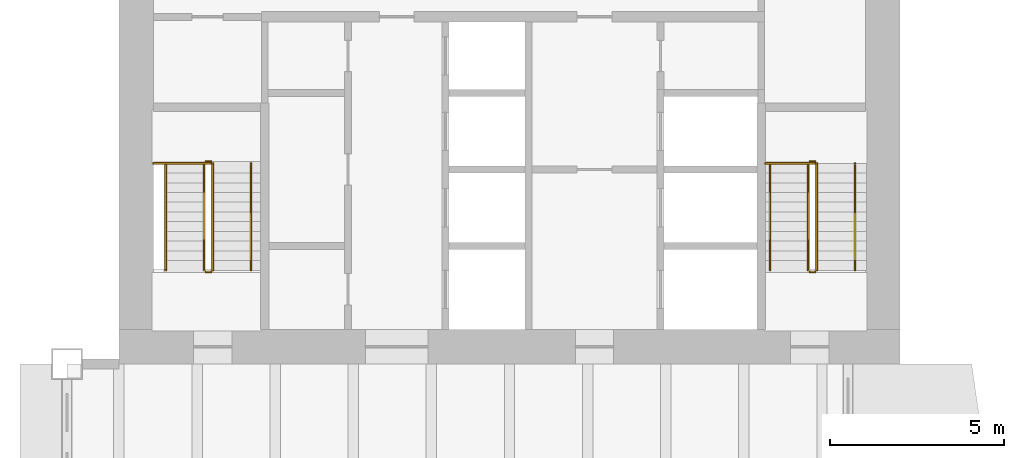
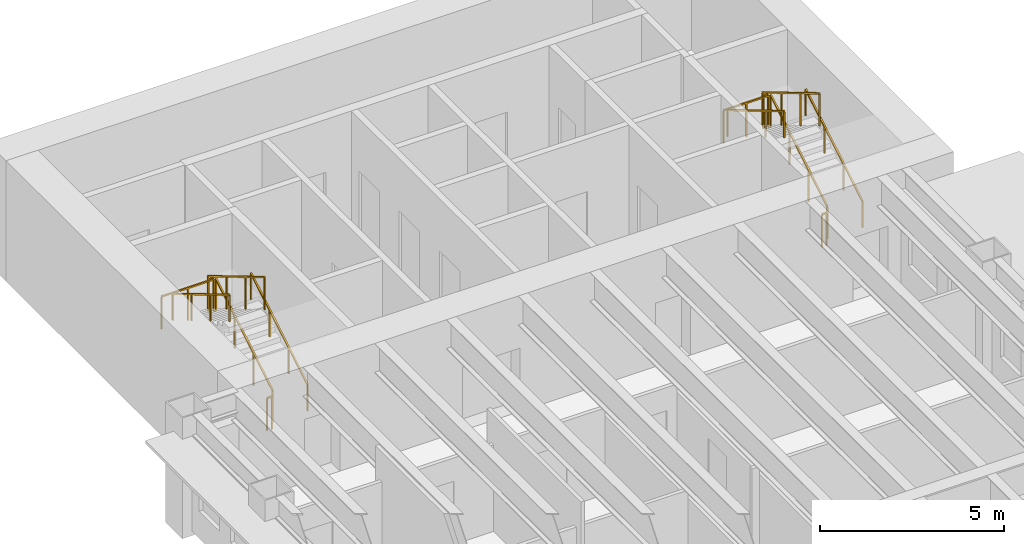
# One storey, part 16 of 16: 14 railings.
"""IFC4 building model written with IfcOpenShell, lengths in metres."""

import ifcopenshell
import ifcopenshell.guid

model = None  # the IFC model being written
_history = None  # IfcOwnerHistory: only IFC2X3 demands one
_inside = {}  # id of a spatial element -> (the spatial element, [elements in it])
_under = {}  # id of a project, library or spatial element -> (it, [spatial elements below it])
_declared = {}  # id of a project -> (the project, [libraries it declares])
_typed = {}  # id of a type object -> (the type object, [elements of that type])
_made_of = {}  # id of a material, layer set ... -> (it, [elements and type objects made of it])


def new_model(schema):
    """Start an empty IFC model of exactly this schema.

    Asked for "IFC4X3", IfcOpenShell would pick the latest addendum, in which some entities
    have other attributes; the version numbers below select the first issue.
    IFC2X3 requires an IfcOwnerHistory on every rooted entity: one is made here for all.
    """
    global model, _history
    if schema == "IFC4X3":
        model = ifcopenshell.file(schema_version=(4, 3, 0, 0))
    else:
        model = ifcopenshell.file(schema=schema)
    _inside.clear()
    _under.clear()
    _declared.clear()
    _typed.clear()
    _made_of.clear()
    _history = None
    if model.schema == "IFC2X3":
        org = make("IfcOrganization", Name="unknown")
        user = make(
            "IfcPersonAndOrganization",
            ThePerson=make("IfcPerson", FamilyName="unknown"),
            TheOrganization=org,
        )
        app = make(
            "IfcApplication",
            ApplicationDeveloper=org,
            Version="unknown",
            ApplicationFullName="unknown",
            ApplicationIdentifier="unknown",
        )
        _history = make(
            "IfcOwnerHistory",
            OwningUser=user,
            OwningApplication=app,
            ChangeAction="ADDED",
            CreationDate=0,
        )
    return model


def make(cls, **values):
    """One entity of the class cls with the attributes given. An attribute that is None is left unset."""
    return model.create_entity(
        cls, **{name: value for name, value in values.items() if value is not None}
    )


def rooted(cls, **values):
    """An entity with a GlobalId (a new one), such as an element, a storey or a relation."""
    return make(cls, GlobalId=ifcopenshell.guid.new(), OwnerHistory=_history, **values)


def si_unit(unit_type, name, prefix=None):
    """IfcSIUnit, for example si_unit("LENGTHUNIT", "METRE", prefix="MILLI")."""
    return make("IfcSIUnit", UnitType=unit_type, Prefix=prefix, Name=name)


def assignment(units):
    """IfcUnitAssignment: the units of a project."""
    return None if units is None else make("IfcUnitAssignment", Units=units)


def point(xyz):
    """IfcCartesianPoint."""
    return None if xyz is None else make("IfcCartesianPoint", Coordinates=xyz)


def direction(xyz):
    """IfcDirection."""
    return None if xyz is None else make("IfcDirection", DirectionRatios=xyz)


def frame(location, z_axis=None, x_axis=None):
    """IfcAxis2Placement3D, a coordinate frame: its origin and axes. An axis left out is left unset."""
    return make(
        "IfcAxis2Placement3D",
        Location=point(location),
        Axis=direction(z_axis),
        RefDirection=direction(x_axis),
    )


def frame_2d(location, x_axis=None):
    """IfcAxis2Placement2D, a coordinate frame in the plane: its origin and x axis."""
    return make(
        "IfcAxis2Placement2D", Location=point(location), RefDirection=direction(x_axis)
    )


def origin():
    """The frame at (0, 0, 0) with its axes left unset."""
    return frame((0.0, 0.0, 0.0))


def origin_2d():
    """The frame at (0, 0) in the plane with its x axis left unset."""
    return frame_2d((0.0, 0.0))


def place(relative_to, where):
    """IfcLocalPlacement: puts the frame where relative to a parent placement (None: the world)."""
    return make(
        "IfcLocalPlacement", PlacementRelTo=relative_to, RelativePlacement=where
    )


def context(
    kind, dimensions, precision=None, world=None, true_north=None, identifier=None
):
    """IfcGeometricRepresentationContext, for example the 3D "Model" context."""
    return make(
        "IfcGeometricRepresentationContext",
        ContextIdentifier=identifier,
        ContextType=kind,
        CoordinateSpaceDimension=dimensions,
        Precision=precision,
        WorldCoordinateSystem=world,
        TrueNorth=true_north,
    )


def subcontext(parent, identifier, kind, view, scale=None):
    """IfcGeometricRepresentationSubContext, for example "Body" below "Model"."""
    return make(
        "IfcGeometricRepresentationSubContext",
        ContextIdentifier=identifier,
        ContextType=kind,
        ParentContext=parent,
        TargetScale=scale,
        TargetView=view,
    )


def project(units=None, contexts=None):
    """IfcProject with its units and contexts."""
    return rooted(
        "IfcProject",
        Name="project",
        RepresentationContexts=contexts,
        UnitsInContext=assignment(units),
    )


def spatial(cls, under=None, at=None, **own):
    """A site, building, storey or space (cls), placed at a placement, below another one or the project."""
    s = rooted(cls, ObjectPlacement=at, **own)
    if under is not None:
        _under.setdefault(under.id(), (under, []))[1].append(s)
    return s


def profile(cls, at=None, kind="AREA", **sizes):
    """A parametric profile (cls). Its sizes go by their IFC names, for example OverallWidth=200.0."""
    return make(cls, ProfileType=kind, Position=at, **sizes)


def rectangle(**sizes):
    """IfcRectangleProfileDef."""
    return profile("IfcRectangleProfileDef", **sizes)


def extrude(swept, where, along, depth):
    """IfcExtrudedAreaSolid: the profile swept, set in the frame where, extruded along a direction by depth."""
    return make(
        "IfcExtrudedAreaSolid",
        SweptArea=swept,
        Position=where,
        ExtrudedDirection=direction(along),
        Depth=depth,
    )


def shape(context_of_items, identifier, shape_type, items):
    """IfcShapeRepresentation: the items that make up one representation, for example the "Body"."""
    return make(
        "IfcShapeRepresentation",
        ContextOfItems=context_of_items,
        RepresentationIdentifier=identifier,
        RepresentationType=shape_type,
        Items=items,
    )


def material(Name=None, Category=None):
    """IfcMaterial."""
    return make("IfcMaterial", Name=Name, Category=Category)


def made_of(thing, what):
    """Note that an element or type object is made of a material, layer set ...; save() writes the relation."""
    if what is not None:
        _made_of.setdefault(what.id(), (what, []))[1].append(thing)
    return thing


def type_object(cls, material=None, **own):
    """A type object (cls), such as IfcWallType, which elements share."""
    return made_of(rooted(cls, **own), material)


def element(
    cls,
    number,
    at=None,
    inside=None,
    cuts=None,
    type_object=None,
    material=None,
    context=None,
    identifier="Body",
    shape_type=None,
    held_by="IfcProductDefinitionShape",
    body=None,
    shapes=None,
    **own,
):
    """One element of the class cls, such as IfcWall. Its Tag is "e" and its number.

    at: its placement. inside: the storey or other place that contains it. cuts: it is an
    opening in that element (IfcRelVoidsElement). A single representation is given by context,
    identifier, shape_type and body (its items); several are given by shapes. held_by: the class
    of the entity that holds the representations. save() writes the other relations.
    """
    e = rooted(cls, Tag="e%d" % number, ObjectPlacement=at, **own)
    if body is not None:
        shapes = [shape(context, identifier, shape_type, body)]
    if shapes is not None:
        e.Representation = make(held_by, Representations=shapes)
    if inside is not None:
        _inside.setdefault(inside.id(), (inside, []))[1].append(e)
    if cuts is not None:
        rooted(
            "IfcRelVoidsElement", RelatingBuildingElement=cuts, RelatedOpeningElement=e
        )
    if type_object is not None:
        _typed.setdefault(type_object.id(), (type_object, []))[1].append(e)
    return made_of(e, material)


def aggregate(whole, parts):
    """IfcRelAggregates: a whole, such as a stair, and the parts it consists of."""
    return rooted("IfcRelAggregates", RelatingObject=whole, RelatedObjects=parts)


def save(model, path):
    """Write the relations noted so far, then the file.

    IfcRelAggregates (storeys below a building ...), IfcRelContainedInSpatialStructure (elements
    in a storey), IfcRelDefinesByType, IfcRelAssociatesMaterial and IfcRelDeclares: one each for
    every whole, place, type object, material and project.
    """
    for whole, parts in _under.values():
        aggregate(whole, parts)
    for where, things in _inside.values():
        rooted(
            "IfcRelContainedInSpatialStructure",
            RelatedElements=things,
            RelatingStructure=where,
        )
    for kind, things in _typed.values():
        rooted("IfcRelDefinesByType", RelatedObjects=things, RelatingType=kind)
    for what, things in _made_of.values():
        rooted("IfcRelAssociatesMaterial", RelatedObjects=things, RelatingMaterial=what)
    for by, libraries in _declared.values():
        rooted("IfcRelDeclares", RelatingContext=by, RelatedDefinitions=libraries)
    model.write(path)


model = new_model("IFC4")

# Units and contexts
model_context = context("Model", 3, precision=1e-05, world=origin(), true_north=direction((0.0, 1.0)))
body_context = subcontext(model_context, "Body", "Model", "MODEL_VIEW")
ifc_project = project(units=[si_unit("LENGTHUNIT", "METRE"), si_unit("AREAUNIT", "SQUARE_METRE"), si_unit("VOLUMEUNIT", "CUBIC_METRE"), si_unit("PLANEANGLEUNIT", "RADIAN"), si_unit("MASSUNIT", "GRAM", prefix="KILO")], contexts=[model_context])

# Site, building, storey
site_placement = place(None, origin())
site = spatial("IfcSite", under=ifc_project, at=site_placement, CompositionType="ELEMENT")
building_placement = place(site_placement, origin())
building = spatial("IfcBuilding", under=site, at=building_placement, Name="Sennacour Bend Tower", CompositionType="ELEMENT")
storey_placement = place(building_placement, frame((0.0, 0.0, 159.0)))
storey = spatial("IfcBuildingStorey", under=building, at=storey_placement, Name="L36", CompositionType="ELEMENT", Elevation=159.0)

# Railings
ifc_material = material(Name="Stainless steel", Category="steel")
railing_type_1 = type_object("IfcRailingType", Name="RL-GUARD-1100", PredefinedType="GUARDRAIL", material=ifc_material)
railing_1_placement = place(storey_placement, frame((2.699951171875, 38.699951171875, 0.166748046875)))
element("IfcRailing", 1, at=railing_1_placement, inside=storey, type_object=railing_type_1, Name="L36 SB1 stair guard 1", PredefinedType="GUARDRAIL", context=body_context, shape_type="SweptSolid", body=[
    extrude(rectangle(XDim=0.048095703125, YDim=0.048095703125, at=origin_2d()), frame((0.0, 0.0, 1.076171875), z_axis=(0.0, 0.859308565015, 0.511457515432), x_axis=(-1.0, 0.0, 0.0)), (0.0, 0.0, 1.0), 3.58447265625),
    extrude(rectangle(XDim=0.0419921875, YDim=0.0419921875, at=origin_2d()), origin(), (0.0, 0.0, 1.0), 1.052001953125),
    extrude(rectangle(XDim=0.0419921875, YDim=0.0419921875, at=origin_2d()), frame((0.0, 1.026611328125, 0.611083984375)), (0.0, 0.0, 1.0), 1.052001953125),
    extrude(rectangle(XDim=0.0419921875, YDim=0.0419921875, at=origin_2d()), frame((0.0, 2.053466796875, 1.22216796875)), (0.0, 0.0, 1.0), 1.052001953125),
    extrude(rectangle(XDim=0.0419921875, YDim=0.0419921875, at=origin_2d()), frame((0.0, 3.080078125, 1.833251953125)), (0.0, 0.0, 1.0), 1.052001953125),
])
railing_2_placement = place(storey_placement, frame((2.64990234375, 41.830078125, 2.0)))
element("IfcRailing", 2, at=railing_2_placement, inside=storey, type_object=railing_type_1, Name="L36 SB1 stair guard 2", PredefinedType="GUARDRAIL", context=body_context, shape_type="SweptSolid", body=[
    extrude(rectangle(XDim=0.048095703125, YDim=0.048095703125, at=origin_2d()), frame((0.0, 0.0, 1.076171875), z_axis=(-1.0, 0.0, 0.0), x_axis=(0.0, -1.0, 0.0)), (0.0, 0.0, 1.0), 0.14990234375),
    extrude(rectangle(XDim=0.0419921875, YDim=0.0419921875, at=origin_2d()), origin(), (0.0, 0.0, 1.0), 1.052001953125),
    extrude(rectangle(XDim=0.0419921875, YDim=0.0419921875, at=origin_2d()), frame((-0.14990234375, 0.0, 0.0)), (0.0, 0.0, 1.0), 1.052001953125),
])
railing_3_placement = place(storey_placement, frame((2.449951171875, 41.780029296875, 2.166748046875)))
element("IfcRailing", 3, at=railing_3_placement, inside=storey, type_object=railing_type_1, Name="L36 SB1 stair guard 4", PredefinedType="GUARDRAIL", context=body_context, shape_type="SweptSolid", body=[
    extrude(rectangle(XDim=0.048095703125, YDim=0.048095703125, at=origin_2d()), frame((0.0, 0.0, 1.076171875), z_axis=(0.0, -0.859308565015, 0.511457515432), x_axis=(1.0, 0.0, 0.0)), (0.0, 0.0, 1.0), 3.58447265625),
    extrude(rectangle(XDim=0.0419921875, YDim=0.0419921875, at=origin_2d()), origin(), (0.0, 0.0, 1.0), 1.052001953125),
    extrude(rectangle(XDim=0.0419921875, YDim=0.0419921875, at=origin_2d()), frame((0.0, -1.026611328125, 0.611083984375)), (0.0, 0.0, 1.0), 1.052001953125),
    extrude(rectangle(XDim=0.0419921875, YDim=0.0419921875, at=origin_2d()), frame((0.0, -2.053466796875, 1.22216796875)), (0.0, 0.0, 1.0), 1.052001953125),
    extrude(rectangle(XDim=0.0419921875, YDim=0.0419921875, at=origin_2d()), frame((0.0, -3.080078125, 1.833251953125)), (0.0, 0.0, 1.0), 1.052001953125),
])
railing_4_placement = place(storey_placement, frame((2.64990234375, 38.64990234375, 0.0)))
element("IfcRailing", 4, at=railing_4_placement, inside=storey, type_object=railing_type_1, Name="L36 SB1 stair guard 5", PredefinedType="GUARDRAIL", context=body_context, shape_type="SweptSolid", body=[
    extrude(rectangle(XDim=0.048095703125, YDim=0.048095703125, at=origin_2d()), frame((0.0, 0.0, 1.076171875), z_axis=(-1.0, 0.0, 0.0), x_axis=(0.0, -1.0, 0.0)), (0.0, 0.0, 1.0), 0.14990234375),
    extrude(rectangle(XDim=0.0419921875, YDim=0.0419921875, at=origin_2d()), origin(), (0.0, 0.0, 1.0), 1.052001953125),
    extrude(rectangle(XDim=0.0419921875, YDim=0.0419921875, at=origin_2d()), frame((-0.14990234375, 0.0, 0.0)), (0.0, 0.0, 1.0), 1.052001953125),
])
railing_5_placement = place(storey_placement, frame((2.64990234375, 41.780029296875, 2.0)))
element("IfcRailing", 5, at=railing_5_placement, inside=storey, type_object=railing_type_1, Name="L36 SB1 landing edge guard 61", PredefinedType="GUARDRAIL", context=body_context, shape_type="SweptSolid", body=[
    extrude(rectangle(XDim=0.048095703125, YDim=0.048095703125, at=origin_2d()), frame((0.0, 0.0, 1.076171875), z_axis=(-1.0, 0.0, 0.0), x_axis=(0.0, -1.0, 0.0)), (0.0, 0.0, 1.0), 1.64990234375),
    extrude(rectangle(XDim=0.0419921875, YDim=0.0419921875, at=origin_2d()), origin(), (0.0, 0.0, 1.0), 1.052001953125),
    extrude(rectangle(XDim=0.0419921875, YDim=0.0419921875, at=origin_2d()), frame((-0.824951171875, 0.0, 0.0)), (0.0, 0.0, 1.0), 1.052001953125),
    extrude(rectangle(XDim=0.0419921875, YDim=0.0419921875, at=origin_2d()), frame((-1.64990234375, 0.0, 0.0)), (0.0, 0.0, 1.0), 1.052001953125),
])
railing_6_placement = place(storey_placement, frame((20.10009765625, 38.699951171875, 0.166748046875)))
element("IfcRailing", 6, at=railing_6_placement, inside=storey, type_object=railing_type_1, Name="L36 SB2 stair guard 1", PredefinedType="GUARDRAIL", context=body_context, shape_type="SweptSolid", body=[
    extrude(rectangle(XDim=0.048095703125, YDim=0.048095703125, at=origin_2d()), frame((0.0, 0.0, 1.076171875), z_axis=(0.0, 0.859308565015, 0.511457515432), x_axis=(-1.0, 0.0, 0.0)), (0.0, 0.0, 1.0), 3.58447265625),
    extrude(rectangle(XDim=0.0419921875, YDim=0.0419921875, at=origin_2d()), origin(), (0.0, 0.0, 1.0), 1.052001953125),
    extrude(rectangle(XDim=0.0419921875, YDim=0.0419921875, at=origin_2d()), frame((0.0, 1.026611328125, 0.611083984375)), (0.0, 0.0, 1.0), 1.052001953125),
    extrude(rectangle(XDim=0.0419921875, YDim=0.0419921875, at=origin_2d()), frame((0.0, 2.053466796875, 1.22216796875)), (0.0, 0.0, 1.0), 1.052001953125),
    extrude(rectangle(XDim=0.0419921875, YDim=0.0419921875, at=origin_2d()), frame((0.0, 3.080078125, 1.833251953125)), (0.0, 0.0, 1.0), 1.052001953125),
])
railing_7_placement = place(storey_placement, frame((20.050048828125, 41.830078125, 2.0)))
element("IfcRailing", 7, at=railing_7_placement, inside=storey, type_object=railing_type_1, Name="L36 SB2 stair guard 2", PredefinedType="GUARDRAIL", context=body_context, shape_type="SweptSolid", body=[
    extrude(rectangle(XDim=0.048095703125, YDim=0.048095703125, at=origin_2d()), frame((0.0, 0.0, 1.076171875), z_axis=(-1.0, 0.0, 0.0), x_axis=(0.0, -1.0, 0.0)), (0.0, 0.0, 1.0), 0.150146484375),
    extrude(rectangle(XDim=0.0419921875, YDim=0.0419921875, at=origin_2d()), origin(), (0.0, 0.0, 1.0), 1.052001953125),
    extrude(rectangle(XDim=0.0419921875, YDim=0.0419921875, at=origin_2d()), frame((-0.150146484375, 0.0, 0.0)), (0.0, 0.0, 1.0), 1.052001953125),
])
railing_8_placement = place(storey_placement, frame((19.85009765625, 41.780029296875, 2.166748046875)))
element("IfcRailing", 8, at=railing_8_placement, inside=storey, type_object=railing_type_1, Name="L36 SB2 stair guard 4", PredefinedType="GUARDRAIL", context=body_context, shape_type="SweptSolid", body=[
    extrude(rectangle(XDim=0.048095703125, YDim=0.048095703125, at=origin_2d()), frame((0.0, 0.0, 1.076171875), z_axis=(0.0, -0.859308565015, 0.511457515432), x_axis=(1.0, 0.0, 0.0)), (0.0, 0.0, 1.0), 3.58447265625),
    extrude(rectangle(XDim=0.0419921875, YDim=0.0419921875, at=origin_2d()), origin(), (0.0, 0.0, 1.0), 1.052001953125),
    extrude(rectangle(XDim=0.0419921875, YDim=0.0419921875, at=origin_2d()), frame((0.0, -1.026611328125, 0.611083984375)), (0.0, 0.0, 1.0), 1.052001953125),
    extrude(rectangle(XDim=0.0419921875, YDim=0.0419921875, at=origin_2d()), frame((0.0, -2.053466796875, 1.22216796875)), (0.0, 0.0, 1.0), 1.052001953125),
    extrude(rectangle(XDim=0.0419921875, YDim=0.0419921875, at=origin_2d()), frame((0.0, -3.080078125, 1.833251953125)), (0.0, 0.0, 1.0), 1.052001953125),
])
railing_9_placement = place(storey_placement, frame((20.050048828125, 38.64990234375, 0.0)))
element("IfcRailing", 9, at=railing_9_placement, inside=storey, type_object=railing_type_1, Name="L36 SB2 stair guard 5", PredefinedType="GUARDRAIL", context=body_context, shape_type="SweptSolid", body=[
    extrude(rectangle(XDim=0.048095703125, YDim=0.048095703125, at=origin_2d()), frame((0.0, 0.0, 1.076171875), z_axis=(-1.0, 0.0, 0.0), x_axis=(0.0, -1.0, 0.0)), (0.0, 0.0, 1.0), 0.150146484375),
    extrude(rectangle(XDim=0.0419921875, YDim=0.0419921875, at=origin_2d()), origin(), (0.0, 0.0, 1.0), 1.052001953125),
    extrude(rectangle(XDim=0.0419921875, YDim=0.0419921875, at=origin_2d()), frame((-0.150146484375, 0.0, 0.0)), (0.0, 0.0, 1.0), 1.052001953125),
])
railing_10_placement = place(storey_placement, frame((20.050048828125, 41.780029296875, 2.0)))
element("IfcRailing", 10, at=railing_10_placement, inside=storey, type_object=railing_type_1, Name="L36 SB2 landing edge guard 51", PredefinedType="GUARDRAIL", context=body_context, shape_type="SweptSolid", body=[
    extrude(rectangle(XDim=0.048095703125, YDim=0.048095703125, at=origin_2d()), frame((0.0, 0.0, 1.076171875), z_axis=(-1.0, 0.0, 0.0), x_axis=(0.0, -1.0, 0.0)), (0.0, 0.0, 1.0), 1.425048828125),
    extrude(rectangle(XDim=0.0419921875, YDim=0.0419921875, at=origin_2d()), origin(), (0.0, 0.0, 1.0), 1.052001953125),
    extrude(rectangle(XDim=0.0419921875, YDim=0.0419921875, at=origin_2d()), frame((-0.71240234375, 0.0, 0.0)), (0.0, 0.0, 1.0), 1.052001953125),
    extrude(rectangle(XDim=0.0419921875, YDim=0.0419921875, at=origin_2d()), frame((-1.425048828125, 0.0, 0.0)), (0.0, 0.0, 1.0), 1.052001953125),
])
railing_type_2 = type_object("IfcRailingType", Name="RL-HANDRAIL-900", PredefinedType="HANDRAIL", material=ifc_material)
railing_11_placement = place(storey_placement, frame((3.800048828125, 38.699951171875, 0.166748046875)))
element("IfcRailing", 11, at=railing_11_placement, inside=storey, type_object=railing_type_2, Name="L36 SB1 stair handrail 1", PredefinedType="HANDRAIL", context=body_context, shape_type="SweptSolid", body=[
    extrude(rectangle(XDim=0.048095703125, YDim=0.048095703125, at=origin_2d()), frame((0.0, 0.0, 0.8759765625), z_axis=(0.0, 0.859308565015, 0.511457515432), x_axis=(-1.0, 0.0, 0.0)), (0.0, 0.0, 1.0), 3.58447265625),
    extrude(rectangle(XDim=0.0419921875, YDim=0.0419921875, at=origin_2d()), origin(), (0.0, 0.0, 1.0), 0.851806640625),
    extrude(rectangle(XDim=0.0419921875, YDim=0.0419921875, at=origin_2d()), frame((0.0, 1.026611328125, 0.611083984375)), (0.0, 0.0, 1.0), 0.851806640625),
    extrude(rectangle(XDim=0.0419921875, YDim=0.0419921875, at=origin_2d()), frame((0.0, 2.053466796875, 1.22216796875)), (0.0, 0.0, 1.0), 0.851806640625),
    extrude(rectangle(XDim=0.0419921875, YDim=0.0419921875, at=origin_2d()), frame((0.0, 3.080078125, 1.833251953125)), (0.0, 0.0, 1.0), 0.851806640625),
])
railing_12_placement = place(storey_placement, frame((1.35009765625, 41.780029296875, 2.166748046875)))
element("IfcRailing", 12, at=railing_12_placement, inside=storey, type_object=railing_type_2, Name="L36 SB1 stair handrail 2", PredefinedType="HANDRAIL", context=body_context, shape_type="SweptSolid", body=[
    extrude(rectangle(XDim=0.048095703125, YDim=0.048095703125, at=origin_2d()), frame((0.0, 0.0, 0.8759765625), z_axis=(0.0, -0.859308565015, 0.511457515432), x_axis=(1.0, 0.0, 0.0)), (0.0, 0.0, 1.0), 3.58447265625),
    extrude(rectangle(XDim=0.0419921875, YDim=0.0419921875, at=origin_2d()), origin(), (0.0, 0.0, 1.0), 0.851806640625),
    extrude(rectangle(XDim=0.0419921875, YDim=0.0419921875, at=origin_2d()), frame((0.0, -1.026611328125, 0.611083984375)), (0.0, 0.0, 1.0), 0.851806640625),
    extrude(rectangle(XDim=0.0419921875, YDim=0.0419921875, at=origin_2d()), frame((0.0, -2.053466796875, 1.22216796875)), (0.0, 0.0, 1.0), 0.851806640625),
    extrude(rectangle(XDim=0.0419921875, YDim=0.0419921875, at=origin_2d()), frame((0.0, -3.080078125, 1.833251953125)), (0.0, 0.0, 1.0), 0.851806640625),
])
railing_13_placement = place(storey_placement, frame((21.199951171875, 38.699951171875, 0.166748046875)))
element("IfcRailing", 13, at=railing_13_placement, inside=storey, type_object=railing_type_2, Name="L36 SB2 stair handrail 1", PredefinedType="HANDRAIL", context=body_context, shape_type="SweptSolid", body=[
    extrude(rectangle(XDim=0.048095703125, YDim=0.048095703125, at=origin_2d()), frame((0.0, 0.0, 0.8759765625), z_axis=(0.0, 0.859308565015, 0.511457515432), x_axis=(-1.0, 0.0, 0.0)), (0.0, 0.0, 1.0), 3.58447265625),
    extrude(rectangle(XDim=0.0419921875, YDim=0.0419921875, at=origin_2d()), origin(), (0.0, 0.0, 1.0), 0.851806640625),
    extrude(rectangle(XDim=0.0419921875, YDim=0.0419921875, at=origin_2d()), frame((0.0, 1.026611328125, 0.611083984375)), (0.0, 0.0, 1.0), 0.851806640625),
    extrude(rectangle(XDim=0.0419921875, YDim=0.0419921875, at=origin_2d()), frame((0.0, 2.053466796875, 1.22216796875)), (0.0, 0.0, 1.0), 0.851806640625),
    extrude(rectangle(XDim=0.0419921875, YDim=0.0419921875, at=origin_2d()), frame((0.0, 3.080078125, 1.833251953125)), (0.0, 0.0, 1.0), 0.851806640625),
])
railing_14_placement = place(storey_placement, frame((18.75, 41.780029296875, 2.166748046875)))
element("IfcRailing", 14, at=railing_14_placement, inside=storey, type_object=railing_type_2, Name="L36 SB2 stair handrail 2", PredefinedType="HANDRAIL", context=body_context, shape_type="SweptSolid", body=[
    extrude(rectangle(XDim=0.048095703125, YDim=0.048095703125, at=origin_2d()), frame((0.0, 0.0, 0.8759765625), z_axis=(0.0, -0.859308565015, 0.511457515432), x_axis=(1.0, 0.0, 0.0)), (0.0, 0.0, 1.0), 3.58447265625),
    extrude(rectangle(XDim=0.0419921875, YDim=0.0419921875, at=origin_2d()), origin(), (0.0, 0.0, 1.0), 0.851806640625),
    extrude(rectangle(XDim=0.0419921875, YDim=0.0419921875, at=origin_2d()), frame((0.0, -1.026611328125, 0.611083984375)), (0.0, 0.0, 1.0), 0.851806640625),
    extrude(rectangle(XDim=0.0419921875, YDim=0.0419921875, at=origin_2d()), frame((0.0, -2.053466796875, 1.22216796875)), (0.0, 0.0, 1.0), 0.851806640625),
    extrude(rectangle(XDim=0.0419921875, YDim=0.0419921875, at=origin_2d()), frame((0.0, -3.080078125, 1.833251953125)), (0.0, 0.0, 1.0), 0.851806640625),
])

save(model, "model.ifc")
